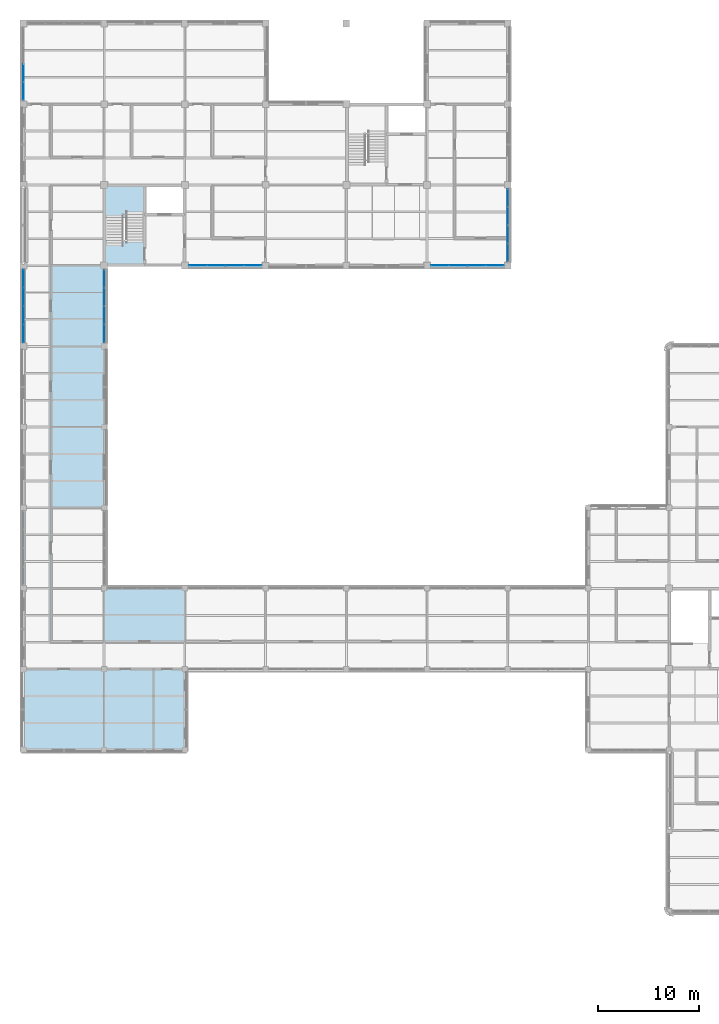
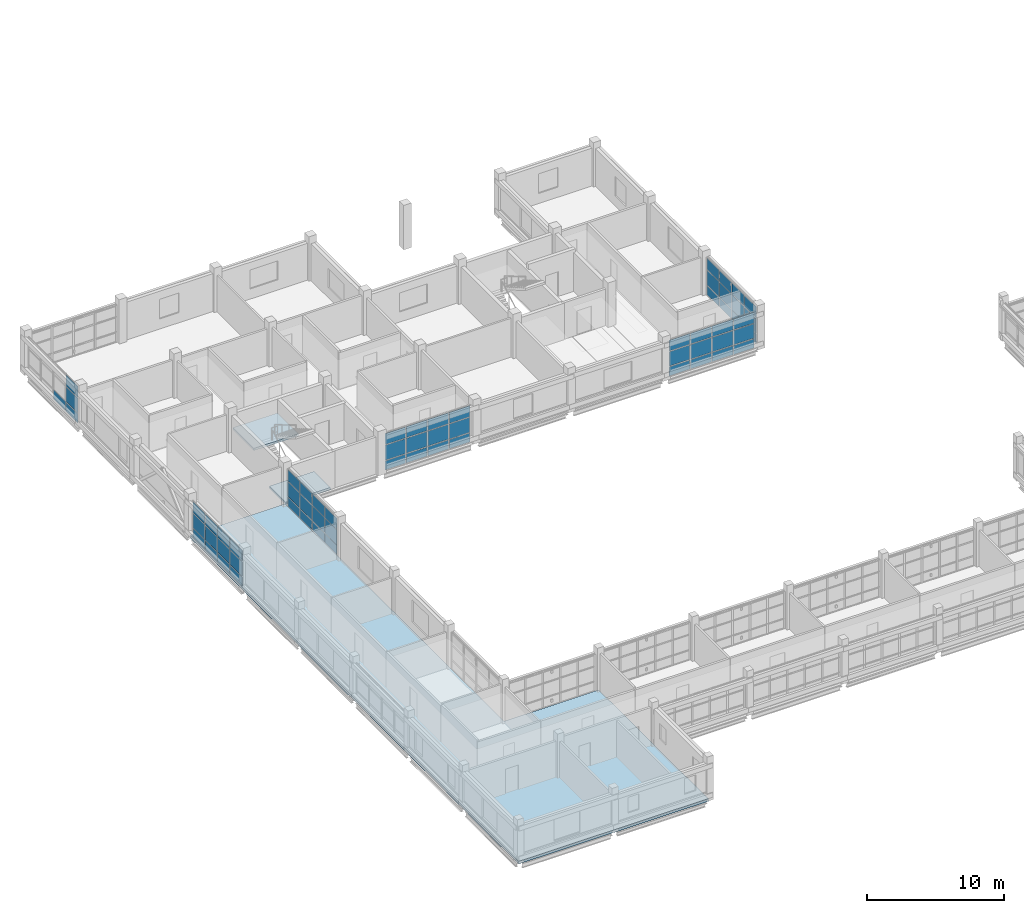
# One storey, part 54 of 92: 64 plates, 3 slabs, 7 elements without a shape of their own.
"""IFC4 building model written with IfcOpenShell, lengths in metres."""

import ifcopenshell
import ifcopenshell.guid

model = None  # the IFC model being written
_history = None  # IfcOwnerHistory: only IFC2X3 demands one
_inside = {}  # id of a spatial element -> (the spatial element, [elements in it])
_under = {}  # id of a project, library or spatial element -> (it, [spatial elements below it])
_declared = {}  # id of a project -> (the project, [libraries it declares])
_typed = {}  # id of a type object -> (the type object, [elements of that type])
_made_of = {}  # id of a material, layer set ... -> (it, [elements and type objects made of it])


def new_model(schema):
    """Start an empty IFC model of exactly this schema.

    Asked for "IFC4X3", IfcOpenShell would pick the latest addendum, in which some entities
    have other attributes; the version numbers below select the first issue.
    IFC2X3 requires an IfcOwnerHistory on every rooted entity: one is made here for all.
    """
    global model, _history
    if schema == "IFC4X3":
        model = ifcopenshell.file(schema_version=(4, 3, 0, 0))
    else:
        model = ifcopenshell.file(schema=schema)
    _inside.clear()
    _under.clear()
    _declared.clear()
    _typed.clear()
    _made_of.clear()
    _history = None
    if model.schema == "IFC2X3":
        org = make("IfcOrganization", Name="unknown")
        user = make(
            "IfcPersonAndOrganization",
            ThePerson=make("IfcPerson", FamilyName="unknown"),
            TheOrganization=org,
        )
        app = make(
            "IfcApplication",
            ApplicationDeveloper=org,
            Version="unknown",
            ApplicationFullName="unknown",
            ApplicationIdentifier="unknown",
        )
        _history = make(
            "IfcOwnerHistory",
            OwningUser=user,
            OwningApplication=app,
            ChangeAction="ADDED",
            CreationDate=0,
        )
    return model


def make(cls, **values):
    """One entity of the class cls with the attributes given. An attribute that is None is left unset."""
    return model.create_entity(
        cls, **{name: value for name, value in values.items() if value is not None}
    )


def rooted(cls, **values):
    """An entity with a GlobalId (a new one), such as an element, a storey or a relation."""
    return make(cls, GlobalId=ifcopenshell.guid.new(), OwnerHistory=_history, **values)


def si_unit(unit_type, name, prefix=None):
    """IfcSIUnit, for example si_unit("LENGTHUNIT", "METRE", prefix="MILLI")."""
    return make("IfcSIUnit", UnitType=unit_type, Prefix=prefix, Name=name)


def derived_unit(unit_type, elements):
    """IfcDerivedUnit: a product of units, each with its exponent."""
    return make(
        "IfcDerivedUnit",
        Elements=[
            make("IfcDerivedUnitElement", Unit=unit, Exponent=power)
            for unit, power in elements
        ],
        UnitType=unit_type,
    )


def assignment(units):
    """IfcUnitAssignment: the units of a project."""
    return None if units is None else make("IfcUnitAssignment", Units=units)


def point(xyz):
    """IfcCartesianPoint."""
    return None if xyz is None else make("IfcCartesianPoint", Coordinates=xyz)


def direction(xyz):
    """IfcDirection."""
    return None if xyz is None else make("IfcDirection", DirectionRatios=xyz)


def frame(location, z_axis=None, x_axis=None):
    """IfcAxis2Placement3D, a coordinate frame: its origin and axes. An axis left out is left unset."""
    return make(
        "IfcAxis2Placement3D",
        Location=point(location),
        Axis=direction(z_axis),
        RefDirection=direction(x_axis),
    )


def frame_2d(location, x_axis=None):
    """IfcAxis2Placement2D, a coordinate frame in the plane: its origin and x axis."""
    return make(
        "IfcAxis2Placement2D", Location=point(location), RefDirection=direction(x_axis)
    )


def origin():
    """The frame at (0, 0, 0) with its axes left unset."""
    return frame((0.0, 0.0, 0.0))


def origin_2d():
    """The frame at (0, 0) in the plane with its x axis left unset."""
    return frame_2d((0.0, 0.0))


def place(relative_to, where):
    """IfcLocalPlacement: puts the frame where relative to a parent placement (None: the world)."""
    return make(
        "IfcLocalPlacement", PlacementRelTo=relative_to, RelativePlacement=where
    )


def context(
    kind, dimensions, precision=None, world=None, true_north=None, identifier=None
):
    """IfcGeometricRepresentationContext, for example the 3D "Model" context."""
    return make(
        "IfcGeometricRepresentationContext",
        ContextIdentifier=identifier,
        ContextType=kind,
        CoordinateSpaceDimension=dimensions,
        Precision=precision,
        WorldCoordinateSystem=world,
        TrueNorth=true_north,
    )


def subcontext(parent, identifier, kind, view, scale=None):
    """IfcGeometricRepresentationSubContext, for example "Body" below "Model"."""
    return make(
        "IfcGeometricRepresentationSubContext",
        ContextIdentifier=identifier,
        ContextType=kind,
        ParentContext=parent,
        TargetScale=scale,
        TargetView=view,
    )


def project(units=None, contexts=None):
    """IfcProject with its units and contexts."""
    return rooted(
        "IfcProject",
        Name="project",
        RepresentationContexts=contexts,
        UnitsInContext=assignment(units),
    )


def spatial(cls, under=None, at=None, **own):
    """A site, building, storey or space (cls), placed at a placement, below another one or the project."""
    s = rooted(cls, ObjectPlacement=at, **own)
    if under is not None:
        _under.setdefault(under.id(), (under, []))[1].append(s)
    return s


def polyline(points):
    """IfcPolyline through the points."""
    return make("IfcPolyline", Points=[point(p) for p in points])


def profile(cls, at=None, kind="AREA", **sizes):
    """A parametric profile (cls). Its sizes go by their IFC names, for example OverallWidth=200.0."""
    return make(cls, ProfileType=kind, Position=at, **sizes)


def rectangle(**sizes):
    """IfcRectangleProfileDef."""
    return profile("IfcRectangleProfileDef", **sizes)


def outline(outer, holes=None, kind="AREA"):
    """IfcArbitraryClosedProfileDef: a profile drawn as a closed curve; with holes, ...WithVoids."""
    if holes is None:
        return make("IfcArbitraryClosedProfileDef", ProfileType=kind, OuterCurve=outer)
    return make(
        "IfcArbitraryProfileDefWithVoids",
        ProfileType=kind,
        OuterCurve=outer,
        InnerCurves=holes,
    )


def extrude(swept, where, along, depth):
    """IfcExtrudedAreaSolid: the profile swept, set in the frame where, extruded along a direction by depth."""
    return make(
        "IfcExtrudedAreaSolid",
        SweptArea=swept,
        Position=where,
        ExtrudedDirection=direction(along),
        Depth=depth,
    )


def shape(context_of_items, identifier, shape_type, items):
    """IfcShapeRepresentation: the items that make up one representation, for example the "Body"."""
    return make(
        "IfcShapeRepresentation",
        ContextOfItems=context_of_items,
        RepresentationIdentifier=identifier,
        RepresentationType=shape_type,
        Items=items,
    )


def material(Name=None, Category=None):
    """IfcMaterial."""
    return make("IfcMaterial", Name=Name, Category=Category)


def layer(
    of_material, thickness, ventilated=None, Name=None, Category=None, Priority=None
):
    """IfcMaterialLayer: one layer of a wall or slab, of a material (None: an air gap)."""
    return make(
        "IfcMaterialLayer",
        Material=of_material,
        LayerThickness=thickness,
        IsVentilated=ventilated,
        Name=Name,
        Category=Category,
        Priority=Priority,
    )


def layer_set(layers, Name=None):
    """IfcMaterialLayerSet."""
    return make("IfcMaterialLayerSet", MaterialLayers=layers, LayerSetName=Name)


def made_of(thing, what):
    """Note that an element or type object is made of a material, layer set ...; save() writes the relation."""
    if what is not None:
        _made_of.setdefault(what.id(), (what, []))[1].append(thing)
    return thing


def type_object(cls, material=None, **own):
    """A type object (cls), such as IfcWallType, which elements share."""
    return made_of(rooted(cls, **own), material)


def element(
    cls,
    number,
    at=None,
    inside=None,
    cuts=None,
    type_object=None,
    material=None,
    context=None,
    identifier="Body",
    shape_type=None,
    held_by="IfcProductDefinitionShape",
    body=None,
    shapes=None,
    **own,
):
    """One element of the class cls, such as IfcWall. Its Tag is "e" and its number.

    at: its placement. inside: the storey or other place that contains it. cuts: it is an
    opening in that element (IfcRelVoidsElement). A single representation is given by context,
    identifier, shape_type and body (its items); several are given by shapes. held_by: the class
    of the entity that holds the representations. save() writes the other relations.
    """
    e = rooted(cls, Tag="e%d" % number, ObjectPlacement=at, **own)
    if body is not None:
        shapes = [shape(context, identifier, shape_type, body)]
    if shapes is not None:
        e.Representation = make(held_by, Representations=shapes)
    if inside is not None:
        _inside.setdefault(inside.id(), (inside, []))[1].append(e)
    if cuts is not None:
        rooted(
            "IfcRelVoidsElement", RelatingBuildingElement=cuts, RelatedOpeningElement=e
        )
    if type_object is not None:
        _typed.setdefault(type_object.id(), (type_object, []))[1].append(e)
    return made_of(e, material)


def aggregate(whole, parts):
    """IfcRelAggregates: a whole, such as a stair, and the parts it consists of."""
    return rooted("IfcRelAggregates", RelatingObject=whole, RelatedObjects=parts)


def save(model, path):
    """Write the relations noted so far, then the file.

    IfcRelAggregates (storeys below a building ...), IfcRelContainedInSpatialStructure (elements
    in a storey), IfcRelDefinesByType, IfcRelAssociatesMaterial and IfcRelDeclares: one each for
    every whole, place, type object, material and project.
    """
    for whole, parts in _under.values():
        aggregate(whole, parts)
    for where, things in _inside.values():
        rooted(
            "IfcRelContainedInSpatialStructure",
            RelatedElements=things,
            RelatingStructure=where,
        )
    for kind, things in _typed.values():
        rooted("IfcRelDefinesByType", RelatedObjects=things, RelatingType=kind)
    for what, things in _made_of.values():
        rooted("IfcRelAssociatesMaterial", RelatedObjects=things, RelatingMaterial=what)
    for by, libraries in _declared.values():
        rooted("IfcRelDeclares", RelatingContext=by, RelatedDefinitions=libraries)
    model.write(path)


model = new_model("IFC4")

# Units and contexts
model_context = context("Model", 3, precision=1e-05, world=origin(), true_north=direction((0.0, 1.0)))
body_context = subcontext(model_context, "Body", "Model", "MODEL_VIEW")
ifc_project = project(units=[si_unit("LENGTHUNIT", "METRE"), si_unit("AREAUNIT", "SQUARE_METRE"), si_unit("VOLUMEUNIT", "CUBIC_METRE"), si_unit("PLANEANGLEUNIT", "RADIAN"), si_unit("MASSUNIT", "GRAM", prefix="KILO"), derived_unit("THERMALTRANSMITTANCEUNIT", [(si_unit("MASSUNIT", "GRAM", prefix="KILO"), 1), (si_unit("TIMEUNIT", "SECOND"), -3), (si_unit("THERMODYNAMICTEMPERATUREUNIT", "KELVIN"), -1)])], contexts=[model_context])

# Site, building, storey
site_placement = place(None, origin())
site = spatial("IfcSite", under=ifc_project, at=site_placement, CompositionType="ELEMENT")
building_placement = place(site_placement, origin())
building = spatial("IfcBuilding", under=site, at=building_placement, Name="Veyamyaing Civic Hall", CompositionType="ELEMENT")
storey_placement = place(building_placement, frame((0.0, 0.0, 17.820068359375)))
storey = spatial("IfcBuildingStorey", under=building, at=storey_placement, Name="L04", CompositionType="ELEMENT", Elevation=17.820068359375)

# Curtain wall, plates
ifc_material_1 = material(Name="Anodised aluminium 6063-T6", Category="aluminium")
ifc_layer_1 = layer(ifc_material_1, 0.159912109375, Name="Anodised aluminium 6063-T6")
ifc_layer_set_1 = layer_set([ifc_layer_1], Name="Anodised aluminium 6063-T6")
curtain_wall_type = type_object("IfcCurtainWallType", Name="CW-08", PredefinedType="NOTDEFINED", material=ifc_layer_set_1)
curtain_wall_1_placement = place(storey_placement, origin())
curtain_wall_1 = element("IfcCurtainWall", 1, at=curtain_wall_1_placement, inside=storey, type_object=curtain_wall_type, Name="Unitized curtain wall CW-08 L04 W 1.14", PredefinedType="NOTDEFINED")
ifc_material_2 = material(Name="Low-E insulated glass", Category="glass")
ifc_layer_2 = layer(ifc_material_2, 0.028076171875, Name="Low-E insulated glass")
ifc_layer_set_2 = layer_set([ifc_layer_2], Name="Low-E insulated glass")
plate_type_1 = type_object("IfcPlateType", Name="CWP-01", PredefinedType="CURTAIN_PANEL", material=ifc_layer_set_2)
plate_1_placement = place(storey_placement, frame((0.0, 105.282470703125, 0.06494140625), z_axis=(0.0, 0.0, 1.0), x_axis=(0.0, 1.0, 0.0)))
plate_1 = element("IfcPlate", 2, at=plate_1_placement, type_object=plate_type_1, Name="CW-08 panel 1.1", PredefinedType="CURTAIN_PANEL", context=body_context, shape_type="SweptSolid", body=[
    extrude(rectangle(XDim=1.72509765625, YDim=0.028076171875, at=origin_2d()), origin(), (0.0, 0.0, 1.0), 0.802490234375),
])
plate_2_placement = place(storey_placement, frame((0.0, 105.282470703125, 0.9326171875), z_axis=(0.0, 0.0, 1.0), x_axis=(0.0, 1.0, 0.0)))
plate_2 = element("IfcPlate", 3, at=plate_2_placement, type_object=plate_type_1, Name="CW-08 panel 1.2", PredefinedType="CURTAIN_PANEL", context=body_context, shape_type="SweptSolid", body=[
    extrude(rectangle(XDim=1.72509765625, YDim=0.028076171875, at=origin_2d()), origin(), (0.0, 0.0, 1.0), 1.329345703125),
])
plate_3_placement = place(storey_placement, frame((0.0, 105.282470703125, 2.32666015625), z_axis=(0.0, 0.0, 1.0), x_axis=(0.0, 1.0, 0.0)))
plate_3 = element("IfcPlate", 4, at=plate_3_placement, type_object=plate_type_1, Name="CW-08 panel 1.3", PredefinedType="CURTAIN_PANEL", context=body_context, shape_type="SweptSolid", body=[
    extrude(rectangle(XDim=1.72509765625, YDim=0.028076171875, at=origin_2d()), origin(), (0.0, 0.0, 1.0), 0.982177734375),
])
plate_4_placement = place(storey_placement, frame((0.0, 107.0888671875, 0.06494140625), z_axis=(0.0, 0.0, 1.0), x_axis=(0.0, 1.0, 0.0)))
plate_4 = element("IfcPlate", 5, at=plate_4_placement, type_object=plate_type_1, Name="CW-08 panel 2.1", PredefinedType="CURTAIN_PANEL", context=body_context, shape_type="SweptSolid", body=[
    extrude(rectangle(XDim=1.757568359375, YDim=0.028076171875, at=origin_2d()), origin(), (0.0, 0.0, 1.0), 0.802490234375),
])
aggregate(curtain_wall_1, [plate_1, plate_2, plate_3, plate_4])

curtain_wall_2_placement = place(storey_placement, origin())
curtain_wall_2 = element("IfcCurtainWall", 6, at=curtain_wall_2_placement, inside=storey, type_object=curtain_wall_type, Name="Unitized curtain wall CW-08 L04 S 3.12", PredefinedType="NOTDEFINED")
plate_5_placement = place(storey_placement, frame((17.304443359375, 88.0, 0.06494140625), z_axis=(0.0, 0.0, 1.0), x_axis=(1.0, 0.0, 0.0)))
plate_5 = element("IfcPlate", 7, at=plate_5_placement, type_object=plate_type_1, Name="CW-08 panel 1.1", PredefinedType="CURTAIN_PANEL", context=body_context, shape_type="SweptSolid", body=[
    extrude(rectangle(XDim=1.71875, YDim=0.028076171875, at=origin_2d()), origin(), (0.0, 0.0, 1.0), 0.802490234375),
])
plate_6_placement = place(storey_placement, frame((17.304443359375, 88.0, 0.9326171875), z_axis=(0.0, 0.0, 1.0), x_axis=(1.0, 0.0, 0.0)))
plate_6 = element("IfcPlate", 8, at=plate_6_placement, type_object=plate_type_1, Name="CW-08 panel 1.2", PredefinedType="CURTAIN_PANEL", context=body_context, shape_type="SweptSolid", body=[
    extrude(rectangle(XDim=1.71875, YDim=0.028076171875, at=origin_2d()), origin(), (0.0, 0.0, 1.0), 1.329345703125),
])
plate_7_placement = place(storey_placement, frame((17.304443359375, 88.0, 2.32666015625), z_axis=(0.0, 0.0, 1.0), x_axis=(1.0, 0.0, 0.0)))
plate_7 = element("IfcPlate", 9, at=plate_7_placement, type_object=plate_type_1, Name="CW-08 panel 1.3", PredefinedType="CURTAIN_PANEL", context=body_context, shape_type="SweptSolid", body=[
    extrude(rectangle(XDim=1.71875, YDim=0.028076171875, at=origin_2d()), origin(), (0.0, 0.0, 1.0), 0.982177734375),
])
plate_8_placement = place(storey_placement, frame((19.1044921875, 88.0, 0.06494140625), z_axis=(0.0, 0.0, 1.0), x_axis=(1.0, 0.0, 0.0)))
plate_8 = element("IfcPlate", 10, at=plate_8_placement, type_object=plate_type_1, Name="CW-08 panel 2.1", PredefinedType="CURTAIN_PANEL", context=body_context, shape_type="SweptSolid", body=[
    extrude(rectangle(XDim=1.751220703125, YDim=0.028076171875, at=origin_2d()), origin(), (0.0, 0.0, 1.0), 0.802490234375),
])
plate_9_placement = place(storey_placement, frame((19.1044921875, 88.0, 0.9326171875), z_axis=(0.0, 0.0, 1.0), x_axis=(1.0, 0.0, 0.0)))
plate_9 = element("IfcPlate", 11, at=plate_9_placement, type_object=plate_type_1, Name="CW-08 panel 2.2", PredefinedType="CURTAIN_PANEL", context=body_context, shape_type="SweptSolid", body=[
    extrude(rectangle(XDim=1.751220703125, YDim=0.028076171875, at=origin_2d()), origin(), (0.0, 0.0, 1.0), 1.329345703125),
])
plate_10_placement = place(storey_placement, frame((19.1044921875, 88.0, 2.32666015625), z_axis=(0.0, 0.0, 1.0), x_axis=(1.0, 0.0, 0.0)))
plate_10 = element("IfcPlate", 12, at=plate_10_placement, type_object=plate_type_1, Name="CW-08 panel 2.3", PredefinedType="CURTAIN_PANEL", context=body_context, shape_type="SweptSolid", body=[
    extrude(rectangle(XDim=1.751220703125, YDim=0.028076171875, at=origin_2d()), origin(), (0.0, 0.0, 1.0), 0.982177734375),
])
plate_11_placement = place(storey_placement, frame((20.920654296875, 88.0, 0.06494140625), z_axis=(0.0, 0.0, 1.0), x_axis=(1.0, 0.0, 0.0)))
plate_11 = element("IfcPlate", 13, at=plate_11_placement, type_object=plate_type_1, Name="CW-08 panel 3.1", PredefinedType="CURTAIN_PANEL", context=body_context, shape_type="SweptSolid", body=[
    extrude(rectangle(XDim=1.751220703125, YDim=0.028076171875, at=origin_2d()), origin(), (0.0, 0.0, 1.0), 0.802490234375),
])
plate_12_placement = place(storey_placement, frame((20.920654296875, 88.0, 0.9326171875), z_axis=(0.0, 0.0, 1.0), x_axis=(1.0, 0.0, 0.0)))
plate_12 = element("IfcPlate", 14, at=plate_12_placement, type_object=plate_type_1, Name="CW-08 panel 3.2", PredefinedType="CURTAIN_PANEL", context=body_context, shape_type="SweptSolid", body=[
    extrude(rectangle(XDim=1.751220703125, YDim=0.028076171875, at=origin_2d()), origin(), (0.0, 0.0, 1.0), 1.329345703125),
])
plate_13_placement = place(storey_placement, frame((20.920654296875, 88.0, 2.32666015625), z_axis=(0.0, 0.0, 1.0), x_axis=(1.0, 0.0, 0.0)))
plate_13 = element("IfcPlate", 15, at=plate_13_placement, type_object=plate_type_1, Name="CW-08 panel 3.3", PredefinedType="CURTAIN_PANEL", context=body_context, shape_type="SweptSolid", body=[
    extrude(rectangle(XDim=1.751220703125, YDim=0.028076171875, at=origin_2d()), origin(), (0.0, 0.0, 1.0), 0.982177734375),
])
plate_14_placement = place(storey_placement, frame((22.720703125, 88.0, 0.06494140625), z_axis=(0.0, 0.0, 1.0), x_axis=(1.0, 0.0, 0.0)))
plate_14 = element("IfcPlate", 16, at=plate_14_placement, type_object=plate_type_1, Name="CW-08 panel 4.1", PredefinedType="CURTAIN_PANEL", context=body_context, shape_type="SweptSolid", body=[
    extrude(rectangle(XDim=1.71875, YDim=0.028076171875, at=origin_2d()), origin(), (0.0, 0.0, 1.0), 0.802490234375),
])
plate_15_placement = place(storey_placement, frame((22.720703125, 88.0, 0.9326171875), z_axis=(0.0, 0.0, 1.0), x_axis=(1.0, 0.0, 0.0)))
plate_15 = element("IfcPlate", 17, at=plate_15_placement, type_object=plate_type_1, Name="CW-08 panel 4.2", PredefinedType="CURTAIN_PANEL", context=body_context, shape_type="SweptSolid", body=[
    extrude(rectangle(XDim=1.71875, YDim=0.028076171875, at=origin_2d()), origin(), (0.0, 0.0, 1.0), 1.329345703125),
])
plate_16_placement = place(storey_placement, frame((22.720703125, 88.0, 2.32666015625), z_axis=(0.0, 0.0, 1.0), x_axis=(1.0, 0.0, 0.0)))
plate_16 = element("IfcPlate", 18, at=plate_16_placement, type_object=plate_type_1, Name="CW-08 panel 4.3", PredefinedType="CURTAIN_PANEL", context=body_context, shape_type="SweptSolid", body=[
    extrude(rectangle(XDim=1.71875, YDim=0.028076171875, at=origin_2d()), origin(), (0.0, 0.0, 1.0), 0.982177734375),
])
aggregate(curtain_wall_2, [plate_5, plate_6, plate_7, plate_8, plate_9, plate_10, plate_11, plate_12, plate_13, plate_14, plate_15, plate_16])

curtain_wall_3_placement = place(storey_placement, origin())
curtain_wall_3 = element("IfcCurtainWall", 19, at=curtain_wall_3_placement, inside=storey, type_object=curtain_wall_type, Name="Unitized curtain wall CW-08 L04 W 1.11", PredefinedType="NOTDEFINED")
ifc_layer_3 = layer(ifc_material_2, 0.02392578125, Name="Low-E insulated glass")
ifc_layer_set_3 = layer_set([ifc_layer_3], Name="Low-E insulated glass")
plate_type_2 = type_object("IfcPlateType", Name="CWP-04", PredefinedType="CURTAIN_PANEL", material=ifc_layer_set_3)
plate_17_placement = place(storey_placement, frame((0.0, 81.282470703125, 0.06494140625), z_axis=(0.0, 0.0, 1.0), x_axis=(0.0, 1.0, 0.0)))
plate_17 = element("IfcPlate", 20, at=plate_17_placement, type_object=plate_type_2, Name="CW-08 panel 1.1", PredefinedType="CURTAIN_PANEL", context=body_context, shape_type="SweptSolid", body=[
    extrude(rectangle(XDim=1.72509765625, YDim=0.02392578125, at=origin_2d()), origin(), (0.0, 0.0, 1.0), 0.802490234375),
])
plate_18_placement = place(storey_placement, frame((0.0, 81.282470703125, 0.932373046875), z_axis=(0.0, 0.0, 1.0), x_axis=(0.0, 1.0, 0.0)))
plate_18 = element("IfcPlate", 21, at=plate_18_placement, type_object=plate_type_2, Name="CW-08 panel 1.2", PredefinedType="CURTAIN_PANEL", context=body_context, shape_type="SweptSolid", body=[
    extrude(rectangle(XDim=1.72509765625, YDim=0.02392578125, at=origin_2d()), origin(), (0.0, 0.0, 1.0), 1.28515625),
])
plate_19_placement = place(storey_placement, frame((0.0, 81.282470703125, 2.282470703125), z_axis=(0.0, 0.0, 1.0), x_axis=(0.0, 1.0, 0.0)))
plate_19 = element("IfcPlate", 22, at=plate_19_placement, type_object=plate_type_2, Name="CW-08 panel 1.3", PredefinedType="CURTAIN_PANEL", context=body_context, shape_type="SweptSolid", body=[
    extrude(rectangle(XDim=1.72509765625, YDim=0.02392578125, at=origin_2d()), origin(), (0.0, 0.0, 1.0), 0.96142578125),
])
plate_20_placement = place(storey_placement, frame((0.0, 83.0888671875, 0.06494140625), z_axis=(0.0, 0.0, 1.0), x_axis=(0.0, 1.0, 0.0)))
plate_20 = element("IfcPlate", 23, at=plate_20_placement, type_object=plate_type_2, Name="CW-08 panel 2.1", PredefinedType="CURTAIN_PANEL", context=body_context, shape_type="SweptSolid", body=[
    extrude(rectangle(XDim=1.757568359375, YDim=0.02392578125, at=origin_2d()), origin(), (0.0, 0.0, 1.0), 0.802490234375),
])
plate_21_placement = place(storey_placement, frame((0.0, 83.0888671875, 0.932373046875), z_axis=(0.0, 0.0, 1.0), x_axis=(0.0, 1.0, 0.0)))
plate_21 = element("IfcPlate", 24, at=plate_21_placement, type_object=plate_type_2, Name="CW-08 panel 2.2", PredefinedType="CURTAIN_PANEL", context=body_context, shape_type="SweptSolid", body=[
    extrude(rectangle(XDim=1.757568359375, YDim=0.02392578125, at=origin_2d()), origin(), (0.0, 0.0, 1.0), 1.28515625),
])
plate_22_placement = place(storey_placement, frame((0.0, 83.0888671875, 2.282470703125), z_axis=(0.0, 0.0, 1.0), x_axis=(0.0, 1.0, 0.0)))
plate_22 = element("IfcPlate", 25, at=plate_22_placement, type_object=plate_type_2, Name="CW-08 panel 2.3", PredefinedType="CURTAIN_PANEL", context=body_context, shape_type="SweptSolid", body=[
    extrude(rectangle(XDim=1.757568359375, YDim=0.02392578125, at=origin_2d()), origin(), (0.0, 0.0, 1.0), 0.96142578125),
])
plate_23_placement = place(storey_placement, frame((0.0, 84.9111328125, 0.06494140625), z_axis=(0.0, 0.0, 1.0), x_axis=(0.0, 1.0, 0.0)))
plate_23 = element("IfcPlate", 26, at=plate_23_placement, type_object=plate_type_2, Name="CW-08 panel 3.1", PredefinedType="CURTAIN_PANEL", context=body_context, shape_type="SweptSolid", body=[
    extrude(rectangle(XDim=1.757568359375, YDim=0.02392578125, at=origin_2d()), origin(), (0.0, 0.0, 1.0), 0.802490234375),
])
plate_24_placement = place(storey_placement, frame((0.0, 84.9111328125, 0.932373046875), z_axis=(0.0, 0.0, 1.0), x_axis=(0.0, 1.0, 0.0)))
plate_24 = element("IfcPlate", 27, at=plate_24_placement, type_object=plate_type_2, Name="CW-08 panel 3.2", PredefinedType="CURTAIN_PANEL", context=body_context, shape_type="SweptSolid", body=[
    extrude(rectangle(XDim=1.757568359375, YDim=0.02392578125, at=origin_2d()), origin(), (0.0, 0.0, 1.0), 1.28515625),
])
plate_25_placement = place(storey_placement, frame((0.0, 84.9111328125, 2.282470703125), z_axis=(0.0, 0.0, 1.0), x_axis=(0.0, 1.0, 0.0)))
plate_25 = element("IfcPlate", 28, at=plate_25_placement, type_object=plate_type_2, Name="CW-08 panel 3.3", PredefinedType="CURTAIN_PANEL", context=body_context, shape_type="SweptSolid", body=[
    extrude(rectangle(XDim=1.757568359375, YDim=0.02392578125, at=origin_2d()), origin(), (0.0, 0.0, 1.0), 0.96142578125),
])
plate_26_placement = place(storey_placement, frame((0.0, 86.717529296875, 0.06494140625), z_axis=(0.0, 0.0, 1.0), x_axis=(0.0, 1.0, 0.0)))
plate_26 = element("IfcPlate", 29, at=plate_26_placement, type_object=plate_type_2, Name="CW-08 panel 4.1", PredefinedType="CURTAIN_PANEL", context=body_context, shape_type="SweptSolid", body=[
    extrude(rectangle(XDim=1.72509765625, YDim=0.02392578125, at=origin_2d()), origin(), (0.0, 0.0, 1.0), 0.802490234375),
])
plate_27_placement = place(storey_placement, frame((0.0, 86.717529296875, 0.932373046875), z_axis=(0.0, 0.0, 1.0), x_axis=(0.0, 1.0, 0.0)))
plate_27 = element("IfcPlate", 30, at=plate_27_placement, type_object=plate_type_2, Name="CW-08 panel 4.2", PredefinedType="CURTAIN_PANEL", context=body_context, shape_type="SweptSolid", body=[
    extrude(rectangle(XDim=1.72509765625, YDim=0.02392578125, at=origin_2d()), origin(), (0.0, 0.0, 1.0), 1.28515625),
])
plate_28_placement = place(storey_placement, frame((0.0, 86.717529296875, 2.282470703125), z_axis=(0.0, 0.0, 1.0), x_axis=(0.0, 1.0, 0.0)))
plate_28 = element("IfcPlate", 31, at=plate_28_placement, type_object=plate_type_2, Name="CW-08 panel 4.3", PredefinedType="CURTAIN_PANEL", context=body_context, shape_type="SweptSolid", body=[
    extrude(rectangle(XDim=1.72509765625, YDim=0.02392578125, at=origin_2d()), origin(), (0.0, 0.0, 1.0), 0.96142578125),
])
aggregate(curtain_wall_3, [plate_17, plate_18, plate_19, plate_20, plate_21, plate_22, plate_23, plate_24, plate_25, plate_26, plate_27, plate_28])

curtain_wall_4_placement = place(storey_placement, origin())
curtain_wall_4 = element("IfcCurtainWall", 32, at=curtain_wall_4_placement, inside=storey, type_object=curtain_wall_type, Name="Unitized curtain wall CW-08 L04 E 1.11", PredefinedType="NOTDEFINED")
plate_29_placement = place(storey_placement, frame((8.0, 81.279296875, 0.06494140625), z_axis=(0.0, 0.0, 1.0), x_axis=(0.0, 1.0, 0.0)))
plate_29 = element("IfcPlate", 33, at=plate_29_placement, type_object=plate_type_2, Name="CW-08 panel 1.1", PredefinedType="CURTAIN_PANEL", context=body_context, shape_type="SweptSolid", body=[
    extrude(rectangle(XDim=1.71875, YDim=0.02392578125, at=origin_2d()), origin(), (0.0, 0.0, 1.0), 0.802490234375),
])
plate_30_placement = place(storey_placement, frame((8.0, 81.279296875, 0.9326171875), z_axis=(0.0, 0.0, 1.0), x_axis=(0.0, 1.0, 0.0)))
plate_30 = element("IfcPlate", 34, at=plate_30_placement, type_object=plate_type_2, Name="CW-08 panel 1.2", PredefinedType="CURTAIN_PANEL", context=body_context, shape_type="SweptSolid", body=[
    extrude(rectangle(XDim=1.71875, YDim=0.02392578125, at=origin_2d()), origin(), (0.0, 0.0, 1.0), 1.327880859375),
])
plate_31_placement = place(storey_placement, frame((8.0, 81.279296875, 2.325439453125), z_axis=(0.0, 0.0, 1.0), x_axis=(0.0, 1.0, 0.0)))
plate_31 = element("IfcPlate", 35, at=plate_31_placement, type_object=plate_type_2, Name="CW-08 panel 1.3", PredefinedType="CURTAIN_PANEL", context=body_context, shape_type="SweptSolid", body=[
    extrude(rectangle(XDim=1.71875, YDim=0.02392578125, at=origin_2d()), origin(), (0.0, 0.0, 1.0), 0.9814453125),
])
plate_32_placement = place(storey_placement, frame((8.0, 83.079345703125, 0.06494140625), z_axis=(0.0, 0.0, 1.0), x_axis=(0.0, 1.0, 0.0)))
plate_32 = element("IfcPlate", 36, at=plate_32_placement, type_object=plate_type_2, Name="CW-08 panel 2.1", PredefinedType="CURTAIN_PANEL", context=body_context, shape_type="SweptSolid", body=[
    extrude(rectangle(XDim=1.751220703125, YDim=0.02392578125, at=origin_2d()), origin(), (0.0, 0.0, 1.0), 0.802490234375),
])
plate_33_placement = place(storey_placement, frame((8.0, 83.079345703125, 0.9326171875), z_axis=(0.0, 0.0, 1.0), x_axis=(0.0, 1.0, 0.0)))
plate_33 = element("IfcPlate", 37, at=plate_33_placement, type_object=plate_type_2, Name="CW-08 panel 2.2", PredefinedType="CURTAIN_PANEL", context=body_context, shape_type="SweptSolid", body=[
    extrude(rectangle(XDim=1.751220703125, YDim=0.02392578125, at=origin_2d()), origin(), (0.0, 0.0, 1.0), 1.327880859375),
])
plate_34_placement = place(storey_placement, frame((8.0, 83.079345703125, 2.325439453125), z_axis=(0.0, 0.0, 1.0), x_axis=(0.0, 1.0, 0.0)))
plate_34 = element("IfcPlate", 38, at=plate_34_placement, type_object=plate_type_2, Name="CW-08 panel 2.3", PredefinedType="CURTAIN_PANEL", context=body_context, shape_type="SweptSolid", body=[
    extrude(rectangle(XDim=1.751220703125, YDim=0.02392578125, at=origin_2d()), origin(), (0.0, 0.0, 1.0), 0.9814453125),
])
plate_35_placement = place(storey_placement, frame((8.0, 84.8955078125, 0.06494140625), z_axis=(0.0, 0.0, 1.0), x_axis=(0.0, 1.0, 0.0)))
plate_35 = element("IfcPlate", 39, at=plate_35_placement, type_object=plate_type_2, Name="CW-08 panel 3.1", PredefinedType="CURTAIN_PANEL", context=body_context, shape_type="SweptSolid", body=[
    extrude(rectangle(XDim=1.751220703125, YDim=0.02392578125, at=origin_2d()), origin(), (0.0, 0.0, 1.0), 0.802490234375),
])
plate_36_placement = place(storey_placement, frame((8.0, 84.8955078125, 0.9326171875), z_axis=(0.0, 0.0, 1.0), x_axis=(0.0, 1.0, 0.0)))
plate_36 = element("IfcPlate", 40, at=plate_36_placement, type_object=plate_type_2, Name="CW-08 panel 3.2", PredefinedType="CURTAIN_PANEL", context=body_context, shape_type="SweptSolid", body=[
    extrude(rectangle(XDim=1.751220703125, YDim=0.02392578125, at=origin_2d()), origin(), (0.0, 0.0, 1.0), 1.327880859375),
])
plate_37_placement = place(storey_placement, frame((8.0, 84.8955078125, 2.325439453125), z_axis=(0.0, 0.0, 1.0), x_axis=(0.0, 1.0, 0.0)))
plate_37 = element("IfcPlate", 41, at=plate_37_placement, type_object=plate_type_2, Name="CW-08 panel 3.3", PredefinedType="CURTAIN_PANEL", context=body_context, shape_type="SweptSolid", body=[
    extrude(rectangle(XDim=1.751220703125, YDim=0.02392578125, at=origin_2d()), origin(), (0.0, 0.0, 1.0), 0.9814453125),
])
plate_38_placement = place(storey_placement, frame((8.0, 86.695556640625, 0.06494140625), z_axis=(0.0, 0.0, 1.0), x_axis=(0.0, 1.0, 0.0)))
plate_38 = element("IfcPlate", 42, at=plate_38_placement, type_object=plate_type_2, Name="CW-08 panel 4.1", PredefinedType="CURTAIN_PANEL", context=body_context, shape_type="SweptSolid", body=[
    extrude(rectangle(XDim=1.71875, YDim=0.02392578125, at=origin_2d()), origin(), (0.0, 0.0, 1.0), 0.802490234375),
])
plate_39_placement = place(storey_placement, frame((8.0, 86.695556640625, 0.9326171875), z_axis=(0.0, 0.0, 1.0), x_axis=(0.0, 1.0, 0.0)))
plate_39 = element("IfcPlate", 43, at=plate_39_placement, type_object=plate_type_2, Name="CW-08 panel 4.2", PredefinedType="CURTAIN_PANEL", context=body_context, shape_type="SweptSolid", body=[
    extrude(rectangle(XDim=1.71875, YDim=0.02392578125, at=origin_2d()), origin(), (0.0, 0.0, 1.0), 1.327880859375),
])
plate_40_placement = place(storey_placement, frame((8.0, 86.695556640625, 2.325439453125), z_axis=(0.0, 0.0, 1.0), x_axis=(0.0, 1.0, 0.0)))
plate_40 = element("IfcPlate", 44, at=plate_40_placement, type_object=plate_type_2, Name="CW-08 panel 4.3", PredefinedType="CURTAIN_PANEL", context=body_context, shape_type="SweptSolid", body=[
    extrude(rectangle(XDim=1.71875, YDim=0.02392578125, at=origin_2d()), origin(), (0.0, 0.0, 1.0), 0.9814453125),
])
aggregate(curtain_wall_4, [plate_29, plate_30, plate_31, plate_32, plate_33, plate_34, plate_35, plate_36, plate_37, plate_38, plate_39, plate_40])

curtain_wall_5_placement = place(storey_placement, origin())
curtain_wall_5 = element("IfcCurtainWall", 45, at=curtain_wall_5_placement, inside=storey, type_object=curtain_wall_type, Name="Unitized curtain wall CW-08 L04 S 6.12", PredefinedType="NOTDEFINED")
plate_41_placement = place(storey_placement, frame((41.282470703125, 88.0, 0.06494140625), z_axis=(0.0, 0.0, 1.0), x_axis=(1.0, 0.0, 0.0)))
plate_41 = element("IfcPlate", 46, at=plate_41_placement, type_object=plate_type_2, Name="CW-08 panel 1.1", PredefinedType="CURTAIN_PANEL", context=body_context, shape_type="SweptSolid", body=[
    extrude(rectangle(XDim=1.72509765625, YDim=0.02392578125, at=origin_2d()), origin(), (0.0, 0.0, 1.0), 0.802490234375),
])
plate_42_placement = place(storey_placement, frame((41.282470703125, 88.0, 0.9326171875), z_axis=(0.0, 0.0, 1.0), x_axis=(1.0, 0.0, 0.0)))
plate_42 = element("IfcPlate", 47, at=plate_42_placement, type_object=plate_type_2, Name="CW-08 panel 1.2", PredefinedType="CURTAIN_PANEL", context=body_context, shape_type="SweptSolid", body=[
    extrude(rectangle(XDim=1.72509765625, YDim=0.02392578125, at=origin_2d()), origin(), (0.0, 0.0, 1.0), 1.285888671875),
])
plate_43_placement = place(storey_placement, frame((41.282470703125, 88.0, 2.283203125), z_axis=(0.0, 0.0, 1.0), x_axis=(1.0, 0.0, 0.0)))
plate_43 = element("IfcPlate", 48, at=plate_43_placement, type_object=plate_type_2, Name="CW-08 panel 1.3", PredefinedType="CURTAIN_PANEL", context=body_context, shape_type="SweptSolid", body=[
    extrude(rectangle(XDim=1.72509765625, YDim=0.02392578125, at=origin_2d()), origin(), (0.0, 0.0, 1.0), 0.961669921875),
])
plate_44_placement = place(storey_placement, frame((43.0888671875, 88.0, 0.06494140625), z_axis=(0.0, 0.0, 1.0), x_axis=(1.0, 0.0, 0.0)))
plate_44 = element("IfcPlate", 49, at=plate_44_placement, type_object=plate_type_2, Name="CW-08 panel 2.1", PredefinedType="CURTAIN_PANEL", context=body_context, shape_type="SweptSolid", body=[
    extrude(rectangle(XDim=1.757568359375, YDim=0.02392578125, at=origin_2d()), origin(), (0.0, 0.0, 1.0), 0.802490234375),
])
plate_45_placement = place(storey_placement, frame((43.0888671875, 88.0, 0.9326171875), z_axis=(0.0, 0.0, 1.0), x_axis=(1.0, 0.0, 0.0)))
plate_45 = element("IfcPlate", 50, at=plate_45_placement, type_object=plate_type_2, Name="CW-08 panel 2.2", PredefinedType="CURTAIN_PANEL", context=body_context, shape_type="SweptSolid", body=[
    extrude(rectangle(XDim=1.757568359375, YDim=0.02392578125, at=origin_2d()), origin(), (0.0, 0.0, 1.0), 1.285888671875),
])
plate_46_placement = place(storey_placement, frame((43.0888671875, 88.0, 2.283203125), z_axis=(0.0, 0.0, 1.0), x_axis=(1.0, 0.0, 0.0)))
plate_46 = element("IfcPlate", 51, at=plate_46_placement, type_object=plate_type_2, Name="CW-08 panel 2.3", PredefinedType="CURTAIN_PANEL", context=body_context, shape_type="SweptSolid", body=[
    extrude(rectangle(XDim=1.757568359375, YDim=0.02392578125, at=origin_2d()), origin(), (0.0, 0.0, 1.0), 0.961669921875),
])
plate_47_placement = place(storey_placement, frame((44.9111328125, 88.0, 0.06494140625), z_axis=(0.0, 0.0, 1.0), x_axis=(1.0, 0.0, 0.0)))
plate_47 = element("IfcPlate", 52, at=plate_47_placement, type_object=plate_type_2, Name="CW-08 panel 3.1", PredefinedType="CURTAIN_PANEL", context=body_context, shape_type="SweptSolid", body=[
    extrude(rectangle(XDim=1.757568359375, YDim=0.02392578125, at=origin_2d()), origin(), (0.0, 0.0, 1.0), 0.802490234375),
])
plate_48_placement = place(storey_placement, frame((44.9111328125, 88.0, 0.9326171875), z_axis=(0.0, 0.0, 1.0), x_axis=(1.0, 0.0, 0.0)))
plate_48 = element("IfcPlate", 53, at=plate_48_placement, type_object=plate_type_2, Name="CW-08 panel 3.2", PredefinedType="CURTAIN_PANEL", context=body_context, shape_type="SweptSolid", body=[
    extrude(rectangle(XDim=1.757568359375, YDim=0.02392578125, at=origin_2d()), origin(), (0.0, 0.0, 1.0), 1.285888671875),
])
plate_49_placement = place(storey_placement, frame((44.9111328125, 88.0, 2.283203125), z_axis=(0.0, 0.0, 1.0), x_axis=(1.0, 0.0, 0.0)))
plate_49 = element("IfcPlate", 54, at=plate_49_placement, type_object=plate_type_2, Name="CW-08 panel 3.3", PredefinedType="CURTAIN_PANEL", context=body_context, shape_type="SweptSolid", body=[
    extrude(rectangle(XDim=1.757568359375, YDim=0.02392578125, at=origin_2d()), origin(), (0.0, 0.0, 1.0), 0.961669921875),
])
plate_50_placement = place(storey_placement, frame((46.717529296875, 88.0, 0.06494140625), z_axis=(0.0, 0.0, 1.0), x_axis=(1.0, 0.0, 0.0)))
plate_50 = element("IfcPlate", 55, at=plate_50_placement, type_object=plate_type_2, Name="CW-08 panel 4.1", PredefinedType="CURTAIN_PANEL", context=body_context, shape_type="SweptSolid", body=[
    extrude(rectangle(XDim=1.72509765625, YDim=0.02392578125, at=origin_2d()), origin(), (0.0, 0.0, 1.0), 0.802490234375),
])
plate_51_placement = place(storey_placement, frame((46.717529296875, 88.0, 0.9326171875), z_axis=(0.0, 0.0, 1.0), x_axis=(1.0, 0.0, 0.0)))
plate_51 = element("IfcPlate", 56, at=plate_51_placement, type_object=plate_type_2, Name="CW-08 panel 4.2", PredefinedType="CURTAIN_PANEL", context=body_context, shape_type="SweptSolid", body=[
    extrude(rectangle(XDim=1.72509765625, YDim=0.02392578125, at=origin_2d()), origin(), (0.0, 0.0, 1.0), 1.285888671875),
])
plate_52_placement = place(storey_placement, frame((46.717529296875, 88.0, 2.283203125), z_axis=(0.0, 0.0, 1.0), x_axis=(1.0, 0.0, 0.0)))
plate_52 = element("IfcPlate", 57, at=plate_52_placement, type_object=plate_type_2, Name="CW-08 panel 4.3", PredefinedType="CURTAIN_PANEL", context=body_context, shape_type="SweptSolid", body=[
    extrude(rectangle(XDim=1.72509765625, YDim=0.02392578125, at=origin_2d()), origin(), (0.0, 0.0, 1.0), 0.961669921875),
])
aggregate(curtain_wall_5, [plate_41, plate_42, plate_43, plate_44, plate_45, plate_46, plate_47, plate_48, plate_49, plate_50, plate_51, plate_52])

curtain_wall_6_placement = place(storey_placement, origin())
curtain_wall_6 = element("IfcCurtainWall", 58, at=curtain_wall_6_placement, inside=storey, type_object=curtain_wall_type, Name="Unitized curtain wall CW-08 L04 E 6.12", PredefinedType="NOTDEFINED")
plate_53_placement = place(storey_placement, frame((48.0, 89.282470703125, 0.06494140625), z_axis=(0.0, 0.0, 1.0), x_axis=(0.0, 1.0, 0.0)))
plate_53 = element("IfcPlate", 59, at=plate_53_placement, type_object=plate_type_2, Name="CW-08 panel 1.1", PredefinedType="CURTAIN_PANEL", context=body_context, shape_type="SweptSolid", body=[
    extrude(rectangle(XDim=1.72509765625, YDim=0.02392578125, at=origin_2d()), origin(), (0.0, 0.0, 1.0), 0.802490234375),
])
plate_54_placement = place(storey_placement, frame((48.0, 89.282470703125, 0.9326171875), z_axis=(0.0, 0.0, 1.0), x_axis=(0.0, 1.0, 0.0)))
plate_54 = element("IfcPlate", 60, at=plate_54_placement, type_object=plate_type_2, Name="CW-08 panel 1.2", PredefinedType="CURTAIN_PANEL", context=body_context, shape_type="SweptSolid", body=[
    extrude(rectangle(XDim=1.72509765625, YDim=0.02392578125, at=origin_2d()), origin(), (0.0, 0.0, 1.0), 1.329345703125),
])
plate_55_placement = place(storey_placement, frame((48.0, 89.282470703125, 2.32666015625), z_axis=(0.0, 0.0, 1.0), x_axis=(0.0, 1.0, 0.0)))
plate_55 = element("IfcPlate", 61, at=plate_55_placement, type_object=plate_type_2, Name="CW-08 panel 1.3", PredefinedType="CURTAIN_PANEL", context=body_context, shape_type="SweptSolid", body=[
    extrude(rectangle(XDim=1.72509765625, YDim=0.02392578125, at=origin_2d()), origin(), (0.0, 0.0, 1.0), 0.982177734375),
])
plate_56_placement = place(storey_placement, frame((48.0, 91.0888671875, 0.06494140625), z_axis=(0.0, 0.0, 1.0), x_axis=(0.0, 1.0, 0.0)))
plate_56 = element("IfcPlate", 62, at=plate_56_placement, type_object=plate_type_2, Name="CW-08 panel 2.1", PredefinedType="CURTAIN_PANEL", context=body_context, shape_type="SweptSolid", body=[
    extrude(rectangle(XDim=1.757568359375, YDim=0.02392578125, at=origin_2d()), origin(), (0.0, 0.0, 1.0), 0.802490234375),
])
plate_57_placement = place(storey_placement, frame((48.0, 91.0888671875, 0.9326171875), z_axis=(0.0, 0.0, 1.0), x_axis=(0.0, 1.0, 0.0)))
plate_57 = element("IfcPlate", 63, at=plate_57_placement, type_object=plate_type_2, Name="CW-08 panel 2.2", PredefinedType="CURTAIN_PANEL", context=body_context, shape_type="SweptSolid", body=[
    extrude(rectangle(XDim=1.757568359375, YDim=0.02392578125, at=origin_2d()), origin(), (0.0, 0.0, 1.0), 1.329345703125),
])
plate_58_placement = place(storey_placement, frame((48.0, 91.0888671875, 2.32666015625), z_axis=(0.0, 0.0, 1.0), x_axis=(0.0, 1.0, 0.0)))
plate_58 = element("IfcPlate", 64, at=plate_58_placement, type_object=plate_type_2, Name="CW-08 panel 2.3", PredefinedType="CURTAIN_PANEL", context=body_context, shape_type="SweptSolid", body=[
    extrude(rectangle(XDim=1.757568359375, YDim=0.02392578125, at=origin_2d()), origin(), (0.0, 0.0, 1.0), 0.982177734375),
])
plate_59_placement = place(storey_placement, frame((48.0, 92.9111328125, 0.06494140625), z_axis=(0.0, 0.0, 1.0), x_axis=(0.0, 1.0, 0.0)))
plate_59 = element("IfcPlate", 65, at=plate_59_placement, type_object=plate_type_2, Name="CW-08 panel 3.1", PredefinedType="CURTAIN_PANEL", context=body_context, shape_type="SweptSolid", body=[
    extrude(rectangle(XDim=1.757568359375, YDim=0.02392578125, at=origin_2d()), origin(), (0.0, 0.0, 1.0), 0.802490234375),
])
plate_60_placement = place(storey_placement, frame((48.0, 92.9111328125, 0.9326171875), z_axis=(0.0, 0.0, 1.0), x_axis=(0.0, 1.0, 0.0)))
plate_60 = element("IfcPlate", 66, at=plate_60_placement, type_object=plate_type_2, Name="CW-08 panel 3.2", PredefinedType="CURTAIN_PANEL", context=body_context, shape_type="SweptSolid", body=[
    extrude(rectangle(XDim=1.757568359375, YDim=0.02392578125, at=origin_2d()), origin(), (0.0, 0.0, 1.0), 1.329345703125),
])
plate_61_placement = place(storey_placement, frame((48.0, 92.9111328125, 2.32666015625), z_axis=(0.0, 0.0, 1.0), x_axis=(0.0, 1.0, 0.0)))
plate_61 = element("IfcPlate", 67, at=plate_61_placement, type_object=plate_type_2, Name="CW-08 panel 3.3", PredefinedType="CURTAIN_PANEL", context=body_context, shape_type="SweptSolid", body=[
    extrude(rectangle(XDim=1.757568359375, YDim=0.02392578125, at=origin_2d()), origin(), (0.0, 0.0, 1.0), 0.982177734375),
])
plate_62_placement = place(storey_placement, frame((48.0, 94.717529296875, 0.06494140625), z_axis=(0.0, 0.0, 1.0), x_axis=(0.0, 1.0, 0.0)))
plate_62 = element("IfcPlate", 68, at=plate_62_placement, type_object=plate_type_2, Name="CW-08 panel 4.1", PredefinedType="CURTAIN_PANEL", context=body_context, shape_type="SweptSolid", body=[
    extrude(rectangle(XDim=1.72509765625, YDim=0.02392578125, at=origin_2d()), origin(), (0.0, 0.0, 1.0), 0.802490234375),
])
plate_63_placement = place(storey_placement, frame((48.0, 94.717529296875, 0.9326171875), z_axis=(0.0, 0.0, 1.0), x_axis=(0.0, 1.0, 0.0)))
plate_63 = element("IfcPlate", 69, at=plate_63_placement, type_object=plate_type_2, Name="CW-08 panel 4.2", PredefinedType="CURTAIN_PANEL", context=body_context, shape_type="SweptSolid", body=[
    extrude(rectangle(XDim=1.72509765625, YDim=0.02392578125, at=origin_2d()), origin(), (0.0, 0.0, 1.0), 1.329345703125),
])
plate_64_placement = place(storey_placement, frame((48.0, 94.717529296875, 2.32666015625), z_axis=(0.0, 0.0, 1.0), x_axis=(0.0, 1.0, 0.0)))
plate_64 = element("IfcPlate", 70, at=plate_64_placement, type_object=plate_type_2, Name="CW-08 panel 4.3", PredefinedType="CURTAIN_PANEL", context=body_context, shape_type="SweptSolid", body=[
    extrude(rectangle(XDim=1.72509765625, YDim=0.02392578125, at=origin_2d()), origin(), (0.0, 0.0, 1.0), 0.982177734375),
])
aggregate(curtain_wall_6, [plate_53, plate_54, plate_55, plate_56, plate_57, plate_58, plate_59, plate_60, plate_61, plate_62, plate_63, plate_64])

# Slabs
ifc_material_3 = material(Name="Concrete C40/50", Category="concrete")
ifc_layer_4 = layer(ifc_material_3, 0.235107421875, Name="Concrete C40/50")
ifc_layer_set_4 = layer_set([ifc_layer_4], Name="Concrete C40/50")
slab_type_1 = type_object("IfcSlabType", Name="SL-06", PredefinedType="FLOOR", material=ifc_layer_set_4)
slab_1_placement = place(storey_placement, frame((0.0, 0.0, -0.235107421875)))
element("IfcSlab", 71, at=slab_1_placement, inside=storey, type_object=slab_type_1, Name="Floor slab SL-06 L04 V4SW.1", PredefinedType="FLOOR", context=body_context, shape_type="SweptSolid", body=[
    extrude(outline(polyline([(0.0, 40.0), (0.0, 88.0), (8.0, 88.0), (8.0, 56.0), (16.0, 56.0), (16.0, 40.0), (0.0, 40.0)])), origin(), (0.0, 0.0, 1.0), 0.235107421875),
])
ifc_layer_5 = layer(ifc_material_3, 0.199951171875, Name="Concrete C40/50")
ifc_layer_set_5 = layer_set([ifc_layer_5], Name="Concrete C40/50")
slab_type_2 = type_object("IfcSlabType", Name="SL-16", PredefinedType="FLOOR", material=ifc_layer_set_5)
slab_2_placement = place(storey_placement, frame((0.0, 0.0, -0.199951171875)))
element("IfcSlab", 72, at=slab_2_placement, inside=storey, type_object=slab_type_2, Name="Stair floor landing slab SL-16 ST-01 L04", PredefinedType="FLOOR", context=body_context, shape_type="SweptSolid", body=[
    extrude(outline(polyline([(8.139892578125, 88.139892578125), (11.909912109375, 88.139892578125), (11.909912109375, 90.52001953125), (8.139892578125, 90.52001953125), (8.139892578125, 88.139892578125)])), origin(), (0.0, 0.0, 1.0), 0.199951171875),
])

# Stair, slab
stair_type = type_object("IfcStairType", Name="ST-D", PredefinedType="HALF_TURN_STAIR", material=ifc_material_3)
stair_placement = place(storey_placement, origin())
stair = element("IfcStair", 73, at=stair_placement, inside=storey, type_object=stair_type, Name="Protected exit stair ST-01 L04", PredefinedType="HALF_TURN_STAIR")
ifc_layer_6 = layer(ifc_material_3, 0.195068359375, Name="Concrete C40/50")
ifc_layer_set_6 = layer_set([ifc_layer_6], Name="Concrete C40/50")
slab_type_3 = type_object("IfcSlabType", Name="SL-LND", PredefinedType="LANDING", material=ifc_layer_set_6)
slab_3_placement = place(storey_placement, frame((0.0, 0.0, 1.784912109375)))
slab_3 = element("IfcSlab", 74, at=slab_3_placement, type_object=slab_type_3, Name="ST-01 landing 1", PredefinedType="LANDING", context=body_context, shape_type="SweptSolid", body=[
    extrude(outline(polyline([(8.139892578125, 92.7900390625), (11.909912109375, 92.7900390625), (11.909912109375, 95.860107421875), (8.139892578125, 95.860107421875), (8.139892578125, 92.7900390625)])), origin(), (0.0, 0.0, 1.0), 0.195068359375),
])
aggregate(stair, [slab_3])

save(model, "model.ifc")
